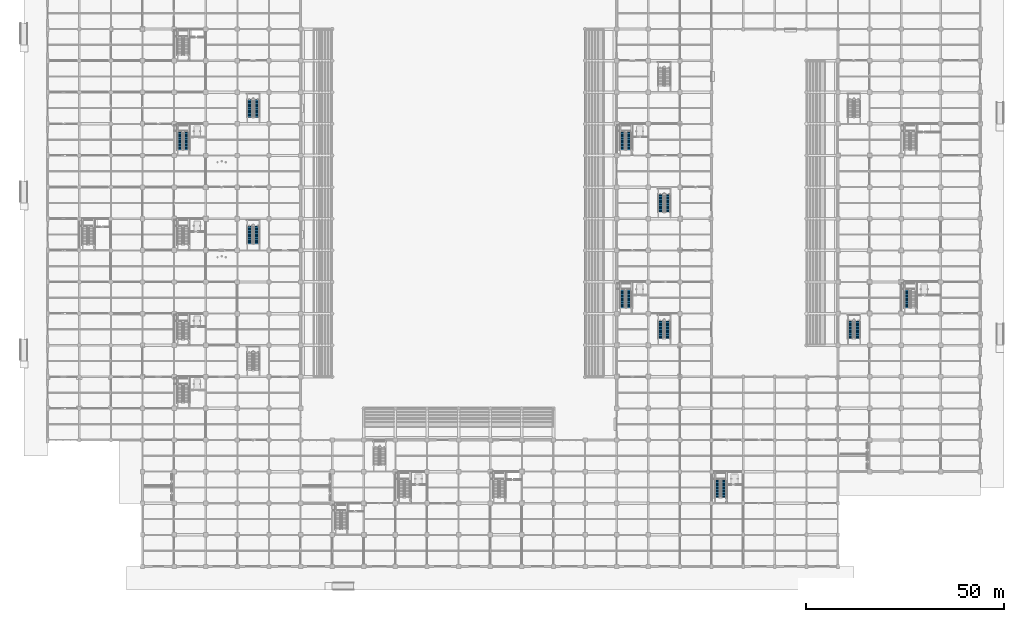
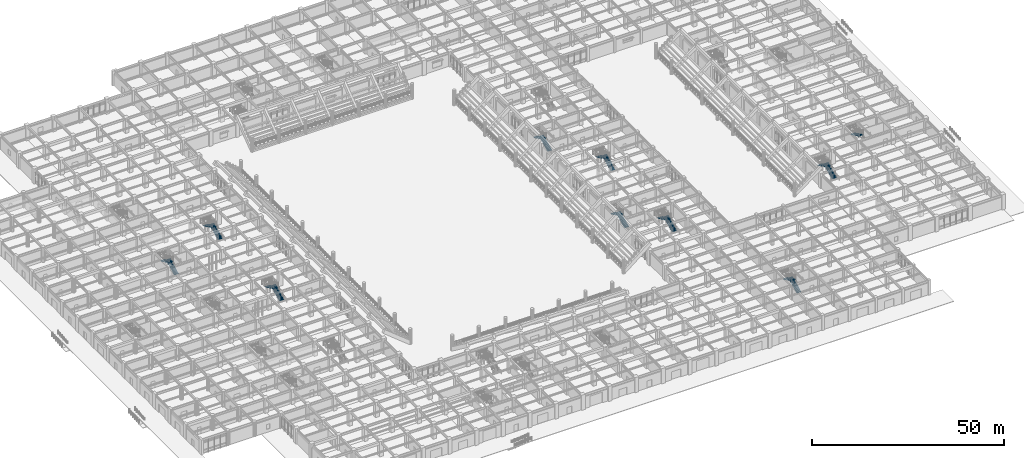
# One storey, part 95 of 125: 19 stair flights, 10 elements without a shape of their own.
"""IFC4 building model written with IfcOpenShell, lengths in metres."""

from ifc_helpers import new_model, si_unit, direction, frame, origin, place, context, subcontext, project, spatial, polyline, outline, extrude, material, type_object, element, aggregate, save


model = new_model("IFC4")

# Units and contexts
model_context = context("Model", 3, precision=1e-05, world=origin(), true_north=direction((0.0, 1.0)))
body_context = subcontext(model_context, "Body", "Model", "MODEL_VIEW")
ifc_project = project(units=[si_unit("LENGTHUNIT", "METRE"), si_unit("AREAUNIT", "SQUARE_METRE"), si_unit("VOLUMEUNIT", "CUBIC_METRE"), si_unit("PLANEANGLEUNIT", "RADIAN"), si_unit("MASSUNIT", "GRAM", prefix="KILO")], contexts=[model_context])

# Site, building, storey
site_placement = place(None, origin())
site = spatial("IfcSite", under=ifc_project, at=site_placement, CompositionType="ELEMENT")
building_placement = place(site_placement, origin())
building = spatial("IfcBuilding", under=site, at=building_placement, Name="Haebicheon Civic Stadium", CompositionType="ELEMENT")
storey_placement = place(building_placement, origin())
storey = spatial("IfcBuildingStorey", under=building, at=storey_placement, Name="L01", CompositionType="ELEMENT", Elevation=0.0)

# Stair, stair flights
ifc_material_1 = material(Name="Concrete C40/50", Category="concrete")
stair_type_1 = type_object("IfcStairType", Name="STR-DL-W126-H48", PredefinedType="HALF_TURN_STAIR", material=ifc_material_1)
stair_1_placement = place(storey_placement, origin())
stair_1 = element("IfcStair", 1, at=stair_1_placement, inside=storey, type_object=stair_type_1, material=ifc_material_1, Name="L01 Escape stair ST-11", PredefinedType="HALF_TURN_STAIR")
ifc_material_2 = material(Name="Concrete C40/50", Category="concrete")
stair_flight_type_1 = type_object("IfcStairFlightType", Name="STF-DL-W126-H48", PredefinedType="STRAIGHT", material=ifc_material_2)
stair_flight_1_placement = place(storey_placement, frame((147.110107421875, 105.449951171875, 0.0), z_axis=(0.0, 0.0, 1.0), x_axis=(0.0, 1.0, 0.0)))
stair_flight_1 = element("IfcStairFlight", 2, at=stair_flight_1_placement, type_object=stair_flight_type_1, material=ifc_material_2, Name="ST-11 flight 1", NumberOfRisers=16, NumberOfTreads=15, PredefinedType="STRAIGHT", RiserHeight=0.15, TreadLength=0.3, context=body_context, shape_type="SweptSolid", body=[
    extrude(outline(polyline([(0.0, 0.0), (0.0, 0.14990234375), (0.300048828125, 0.14990234375), (0.300048828125, 0.300048828125), (0.60009765625, 0.300048828125), (0.60009765625, 0.449951171875), (0.89990234375, 0.449951171875), (0.89990234375, 0.60009765625), (1.199951171875, 0.60009765625), (1.199951171875, 0.75), (1.5, 0.75), (1.5, 0.89990234375), (1.800048828125, 0.89990234375), (1.800048828125, 1.050048828125), (2.10009765625, 1.050048828125), (2.10009765625, 1.199951171875), (2.39990234375, 1.199951171875), (2.39990234375, 1.35009765625), (2.699951171875, 1.35009765625), (2.699951171875, 1.5), (3.0, 1.5), (3.0, 1.64990234375), (3.300048828125, 1.64990234375), (3.300048828125, 1.800048828125), (3.60009765625, 1.800048828125), (3.60009765625, 1.949951171875), (3.89990234375, 1.949951171875), (3.89990234375, 2.10009765625), (4.199951171875, 2.10009765625), (4.199951171875, 2.25), (4.5, 2.25), (4.5, 2.39990234375), (4.5, 2.0712890625), (0.357666015625, 0.0), (0.0, 0.0)])), frame((0.0, 0.6298828125, 0.0), z_axis=(0.0, -1.0, 0.0), x_axis=(1.0, 0.0, 0.0)), (0.0, 0.0, 1.0), 1.260009765625),
])
stair_flight_2_placement = place(storey_placement, frame((145.469970703125, 109.949951171875, 2.39990234375), z_axis=(0.0, 0.0, 1.0), x_axis=(0.0, -1.0, 0.0)))
stair_flight_2 = element("IfcStairFlight", 3, at=stair_flight_2_placement, type_object=stair_flight_type_1, material=ifc_material_2, Name="ST-11 flight 2", NumberOfRisers=16, NumberOfTreads=15, PredefinedType="STRAIGHT", RiserHeight=0.15, TreadLength=0.3, context=body_context, shape_type="SweptSolid", body=[
    extrude(outline(polyline([(0.0, 0.0), (0.0, 0.14990234375), (0.300048828125, 0.14990234375), (0.300048828125, 0.300048828125), (0.60009765625, 0.300048828125), (0.60009765625, 0.449951171875), (0.89990234375, 0.449951171875), (0.89990234375, 0.60009765625), (1.199951171875, 0.60009765625), (1.199951171875, 0.75), (1.5, 0.75), (1.5, 0.89990234375), (1.800048828125, 0.89990234375), (1.800048828125, 1.050048828125), (2.10009765625, 1.050048828125), (2.10009765625, 1.199951171875), (2.39990234375, 1.199951171875), (2.39990234375, 1.35009765625), (2.699951171875, 1.35009765625), (2.699951171875, 1.5), (3.0, 1.5), (3.0, 1.64990234375), (3.300048828125, 1.64990234375), (3.300048828125, 1.800048828125), (3.60009765625, 1.800048828125), (3.60009765625, 1.949951171875), (3.89990234375, 1.949951171875), (3.89990234375, 2.10009765625), (4.199951171875, 2.10009765625), (4.199951171875, 2.25), (4.5, 2.25), (4.5, 2.39990234375), (4.5, 2.0712890625), (0.357666015625, 0.0), (0.0, 0.0)])), frame((0.0, 0.6298828125, 0.0), z_axis=(0.0, -1.0, 0.0), x_axis=(1.0, 0.0, 0.0)), (0.0, 0.0, 1.0), 1.260009765625),
])
aggregate(stair_1, [stair_flight_1, stair_flight_2])

ifc_material_3 = material(Name="Concrete C40/50", Category="concrete")
stair_type_2 = type_object("IfcStairType", Name="STR-DL-W128-H48", PredefinedType="HALF_TURN_STAIR", material=ifc_material_3)
stair_2_placement = place(storey_placement, origin())
stair_2 = element("IfcStair", 4, at=stair_2_placement, inside=storey, type_object=stair_type_2, material=ifc_material_3, Name="L01 Escape stair ST-04", PredefinedType="HALF_TURN_STAIR")
ifc_material_4 = material(Name="Concrete C40/50", Category="concrete")
stair_flight_type_2 = type_object("IfcStairFlightType", Name="STF-DL-W128-H48", PredefinedType="STRAIGHT", material=ifc_material_4)
stair_flight_3_placement = place(storey_placement, frame((35.10009765625, 105.449951171875, 0.0), z_axis=(0.0, 0.0, 1.0), x_axis=(0.0, 1.0, 0.0)))
stair_flight_3 = element("IfcStairFlight", 5, at=stair_flight_3_placement, type_object=stair_flight_type_2, material=ifc_material_4, Name="ST-04 flight 1", NumberOfRisers=16, NumberOfTreads=15, PredefinedType="STRAIGHT", RiserHeight=0.15, TreadLength=0.3, context=body_context, shape_type="SweptSolid", body=[
    extrude(outline(polyline([(0.0, 0.0), (0.0, 0.14990234375), (0.300048828125, 0.14990234375), (0.300048828125, 0.300048828125), (0.60009765625, 0.300048828125), (0.60009765625, 0.449951171875), (0.89990234375, 0.449951171875), (0.89990234375, 0.60009765625), (1.199951171875, 0.60009765625), (1.199951171875, 0.75), (1.5, 0.75), (1.5, 0.89990234375), (1.800048828125, 0.89990234375), (1.800048828125, 1.050048828125), (2.10009765625, 1.050048828125), (2.10009765625, 1.199951171875), (2.39990234375, 1.199951171875), (2.39990234375, 1.35009765625), (2.699951171875, 1.35009765625), (2.699951171875, 1.5), (3.0, 1.5), (3.0, 1.64990234375), (3.300048828125, 1.64990234375), (3.300048828125, 1.800048828125), (3.60009765625, 1.800048828125), (3.60009765625, 1.949951171875), (3.89990234375, 1.949951171875), (3.89990234375, 2.10009765625), (4.199951171875, 2.10009765625), (4.199951171875, 2.25), (4.5, 2.25), (4.5, 2.39990234375), (4.5, 2.0712890625), (0.357666015625, 0.0), (0.0, 0.0)])), frame((0.0, 0.64013671875, 0.0), z_axis=(0.0, -1.0, 0.0), x_axis=(1.0, 0.0, 0.0)), (0.0, 0.0, 1.0), 1.280029296875),
])
stair_flight_4_placement = place(storey_placement, frame((33.47998046875, 109.949951171875, 2.39990234375), z_axis=(0.0, 0.0, 1.0), x_axis=(0.0, -1.0, 0.0)))
stair_flight_4 = element("IfcStairFlight", 6, at=stair_flight_4_placement, type_object=stair_flight_type_2, material=ifc_material_4, Name="ST-04 flight 2", NumberOfRisers=16, NumberOfTreads=15, PredefinedType="STRAIGHT", RiserHeight=0.15, TreadLength=0.3, context=body_context, shape_type="SweptSolid", body=[
    extrude(outline(polyline([(0.0, 0.0), (0.0, 0.14990234375), (0.300048828125, 0.14990234375), (0.300048828125, 0.300048828125), (0.60009765625, 0.300048828125), (0.60009765625, 0.449951171875), (0.89990234375, 0.449951171875), (0.89990234375, 0.60009765625), (1.199951171875, 0.60009765625), (1.199951171875, 0.75), (1.5, 0.75), (1.5, 0.89990234375), (1.800048828125, 0.89990234375), (1.800048828125, 1.050048828125), (2.10009765625, 1.050048828125), (2.10009765625, 1.199951171875), (2.39990234375, 1.199951171875), (2.39990234375, 1.35009765625), (2.699951171875, 1.35009765625), (2.699951171875, 1.5), (3.0, 1.5), (3.0, 1.64990234375), (3.300048828125, 1.64990234375), (3.300048828125, 1.800048828125), (3.60009765625, 1.800048828125), (3.60009765625, 1.949951171875), (3.89990234375, 1.949951171875), (3.89990234375, 2.10009765625), (4.199951171875, 2.10009765625), (4.199951171875, 2.25), (4.5, 2.25), (4.5, 2.39990234375), (4.5, 2.0712890625), (0.357666015625, 0.0), (0.0, 0.0)])), frame((0.0, 0.64013671875, 0.0), z_axis=(0.0, -1.0, 0.0), x_axis=(1.0, 0.0, 0.0)), (0.0, 0.0, 1.0), 1.280029296875),
])
aggregate(stair_2, [stair_flight_3, stair_flight_4])

stair_3_placement = place(storey_placement, origin())
stair_3 = element("IfcStair", 7, at=stair_3_placement, inside=storey, type_object=stair_type_2, material=ifc_material_3, Name="L01 Escape stair ST-10", PredefinedType="HALF_TURN_STAIR")
stair_flight_5_placement = place(storey_placement, frame((147.10009765625, 65.449951171875, 0.0), z_axis=(0.0, 0.0, 1.0), x_axis=(0.0, 1.0, 0.0)))
stair_flight_5 = element("IfcStairFlight", 8, at=stair_flight_5_placement, type_object=stair_flight_type_2, material=ifc_material_4, Name="ST-10 flight 1", NumberOfRisers=16, NumberOfTreads=15, PredefinedType="STRAIGHT", RiserHeight=0.15, TreadLength=0.3, context=body_context, shape_type="SweptSolid", body=[
    extrude(outline(polyline([(0.0, 0.0), (0.0, 0.14990234375), (0.300048828125, 0.14990234375), (0.300048828125, 0.300048828125), (0.60009765625, 0.300048828125), (0.60009765625, 0.449951171875), (0.89990234375, 0.449951171875), (0.89990234375, 0.60009765625), (1.199951171875, 0.60009765625), (1.199951171875, 0.75), (1.5, 0.75), (1.5, 0.89990234375), (1.800048828125, 0.89990234375), (1.800048828125, 1.050048828125), (2.10009765625, 1.050048828125), (2.10009765625, 1.199951171875), (2.39990234375, 1.199951171875), (2.39990234375, 1.35009765625), (2.699951171875, 1.35009765625), (2.699951171875, 1.5), (3.0, 1.5), (3.0, 1.64990234375), (3.300048828125, 1.64990234375), (3.300048828125, 1.800048828125), (3.60009765625, 1.800048828125), (3.60009765625, 1.949951171875), (3.89990234375, 1.949951171875), (3.89990234375, 2.10009765625), (4.199951171875, 2.10009765625), (4.199951171875, 2.25), (4.5, 2.25), (4.5, 2.39990234375), (4.5, 2.0712890625), (0.357666015625, 0.0), (0.0, 0.0)])), frame((0.0, 0.64013671875, 0.0), z_axis=(0.0, -1.0, 0.0), x_axis=(1.0, 0.0, 0.0)), (0.0, 0.0, 1.0), 1.280029296875),
])
stair_flight_6_placement = place(storey_placement, frame((145.47998046875, 69.949951171875, 2.39990234375), z_axis=(0.0, 0.0, 1.0), x_axis=(0.0, -1.0, 0.0)))
stair_flight_6 = element("IfcStairFlight", 9, at=stair_flight_6_placement, type_object=stair_flight_type_2, material=ifc_material_4, Name="ST-10 flight 2", NumberOfRisers=16, NumberOfTreads=15, PredefinedType="STRAIGHT", RiserHeight=0.15, TreadLength=0.3, context=body_context, shape_type="SweptSolid", body=[
    extrude(outline(polyline([(0.0, 0.0), (0.0, 0.14990234375), (0.300048828125, 0.14990234375), (0.300048828125, 0.300048828125), (0.60009765625, 0.300048828125), (0.60009765625, 0.449951171875), (0.89990234375, 0.449951171875), (0.89990234375, 0.60009765625), (1.199951171875, 0.60009765625), (1.199951171875, 0.75), (1.5, 0.75), (1.5, 0.89990234375), (1.800048828125, 0.89990234375), (1.800048828125, 1.050048828125), (2.10009765625, 1.050048828125), (2.10009765625, 1.199951171875), (2.39990234375, 1.199951171875), (2.39990234375, 1.35009765625), (2.699951171875, 1.35009765625), (2.699951171875, 1.5), (3.0, 1.5), (3.0, 1.64990234375), (3.300048828125, 1.64990234375), (3.300048828125, 1.800048828125), (3.60009765625, 1.800048828125), (3.60009765625, 1.949951171875), (3.89990234375, 1.949951171875), (3.89990234375, 2.10009765625), (4.199951171875, 2.10009765625), (4.199951171875, 2.25), (4.5, 2.25), (4.5, 2.39990234375), (4.5, 2.0712890625), (0.357666015625, 0.0), (0.0, 0.0)])), frame((0.0, 0.64013671875, 0.0), z_axis=(0.0, -1.0, 0.0), x_axis=(1.0, 0.0, 0.0)), (0.0, 0.0, 1.0), 1.280029296875),
])
aggregate(stair_3, [stair_flight_5, stair_flight_6])

# Stair, stair flight
stair_4_placement = place(storey_placement, origin())
stair_4 = element("IfcStair", 10, at=stair_4_placement, inside=storey, type_object=stair_type_2, material=ifc_material_3, Name="L01 Escape stair ST-12", PredefinedType="HALF_TURN_STAIR")
stair_flight_7_placement = place(storey_placement, frame((217.47998046875, 69.949951171875, 2.39990234375), z_axis=(0.0, 0.0, 1.0), x_axis=(0.0, -1.0, 0.0)))
stair_flight_7 = element("IfcStairFlight", 11, at=stair_flight_7_placement, type_object=stair_flight_type_2, material=ifc_material_4, Name="ST-12 flight 2", NumberOfRisers=16, NumberOfTreads=15, PredefinedType="STRAIGHT", RiserHeight=0.15, TreadLength=0.3, context=body_context, shape_type="SweptSolid", body=[
    extrude(outline(polyline([(0.0, 0.0), (0.0, 0.14990234375), (0.300048828125, 0.14990234375), (0.300048828125, 0.300048828125), (0.60009765625, 0.300048828125), (0.60009765625, 0.449951171875), (0.89990234375, 0.449951171875), (0.89990234375, 0.60009765625), (1.199951171875, 0.60009765625), (1.199951171875, 0.75), (1.5, 0.75), (1.5, 0.89990234375), (1.800048828125, 0.89990234375), (1.800048828125, 1.050048828125), (2.10009765625, 1.050048828125), (2.10009765625, 1.199951171875), (2.39990234375, 1.199951171875), (2.39990234375, 1.35009765625), (2.699951171875, 1.35009765625), (2.699951171875, 1.5), (3.0, 1.5), (3.0, 1.64990234375), (3.300048828125, 1.64990234375), (3.300048828125, 1.800048828125), (3.60009765625, 1.800048828125), (3.60009765625, 1.949951171875), (3.89990234375, 1.949951171875), (3.89990234375, 2.10009765625), (4.199951171875, 2.10009765625), (4.199951171875, 2.25), (4.5, 2.25), (4.5, 2.39990234375), (4.5, 2.0712890625), (0.357666015625, 0.0), (0.0, 0.0)])), frame((0.0, 0.64013671875, 0.0), z_axis=(0.0, -1.0, 0.0), x_axis=(1.0, 0.0, 0.0)), (0.0, 0.0, 1.0), 1.280029296875),
])
aggregate(stair_4, [stair_flight_7])

# Stair, stair flights
stair_5_placement = place(storey_placement, origin())
stair_5 = element("IfcStair", 12, at=stair_5_placement, inside=storey, type_object=stair_type_2, material=ifc_material_3, Name="L01 Escape stair ST-14", PredefinedType="HALF_TURN_STAIR")
stair_flight_8_placement = place(storey_placement, frame((171.10009765625, 17.449951171875, 0.0), z_axis=(0.0, 0.0, 1.0), x_axis=(0.0, 1.0, 0.0)))
stair_flight_8 = element("IfcStairFlight", 13, at=stair_flight_8_placement, type_object=stair_flight_type_2, material=ifc_material_4, Name="ST-14 flight 1", NumberOfRisers=16, NumberOfTreads=15, PredefinedType="STRAIGHT", RiserHeight=0.15, TreadLength=0.3, context=body_context, shape_type="SweptSolid", body=[
    extrude(outline(polyline([(0.0, 0.0), (0.0, 0.14990234375), (0.300048828125, 0.14990234375), (0.300048828125, 0.300048828125), (0.60009765625, 0.300048828125), (0.60009765625, 0.449951171875), (0.89990234375, 0.449951171875), (0.89990234375, 0.60009765625), (1.199951171875, 0.60009765625), (1.199951171875, 0.75), (1.5, 0.75), (1.5, 0.89990234375), (1.800048828125, 0.89990234375), (1.800048828125, 1.050048828125), (2.10009765625, 1.050048828125), (2.10009765625, 1.199951171875), (2.39990234375, 1.199951171875), (2.39990234375, 1.35009765625), (2.699951171875, 1.35009765625), (2.699951171875, 1.5), (3.0, 1.5), (3.0, 1.64990234375), (3.300048828125, 1.64990234375), (3.300048828125, 1.800048828125), (3.60009765625, 1.800048828125), (3.60009765625, 1.949951171875), (3.89990234375, 1.949951171875), (3.89990234375, 2.10009765625), (4.199951171875, 2.10009765625), (4.199951171875, 2.25), (4.5, 2.25), (4.5, 2.39990234375), (4.5, 2.0712890625), (0.357666015625, 0.0), (0.0, 0.0)])), frame((0.0, 0.64013671875, 0.0), z_axis=(0.0, -1.0, 0.0), x_axis=(1.0, 0.0, 0.0)), (0.0, 0.0, 1.0), 1.280029296875),
])
stair_flight_9_placement = place(storey_placement, frame((169.47998046875, 21.949951171875, 2.39990234375), z_axis=(0.0, 0.0, 1.0), x_axis=(0.0, -1.0, 0.0)))
stair_flight_9 = element("IfcStairFlight", 14, at=stair_flight_9_placement, type_object=stair_flight_type_2, material=ifc_material_4, Name="ST-14 flight 2", NumberOfRisers=16, NumberOfTreads=15, PredefinedType="STRAIGHT", RiserHeight=0.15, TreadLength=0.3, context=body_context, shape_type="SweptSolid", body=[
    extrude(outline(polyline([(0.0, 0.0), (0.0, 0.14990234375), (0.300048828125, 0.14990234375), (0.300048828125, 0.300048828125), (0.60009765625, 0.300048828125), (0.60009765625, 0.449951171875), (0.89990234375, 0.449951171875), (0.89990234375, 0.60009765625), (1.199951171875, 0.60009765625), (1.199951171875, 0.75), (1.5, 0.75), (1.5, 0.89990234375), (1.800048828125, 0.89990234375), (1.800048828125, 1.050048828125), (2.10009765625, 1.050048828125), (2.10009765625, 1.199951171875), (2.39990234375, 1.199951171875), (2.39990234375, 1.35009765625), (2.699951171875, 1.35009765625), (2.699951171875, 1.5), (3.0, 1.5), (3.0, 1.64990234375), (3.300048828125, 1.64990234375), (3.300048828125, 1.800048828125), (3.60009765625, 1.800048828125), (3.60009765625, 1.949951171875), (3.89990234375, 1.949951171875), (3.89990234375, 2.10009765625), (4.199951171875, 2.10009765625), (4.199951171875, 2.25), (4.5, 2.25), (4.5, 2.39990234375), (4.5, 2.0712890625), (0.357666015625, 0.0), (0.0, 0.0)])), frame((0.0, 0.64013671875, 0.0), z_axis=(0.0, -1.0, 0.0), x_axis=(1.0, 0.0, 0.0)), (0.0, 0.0, 1.0), 1.280029296875),
])
aggregate(stair_5, [stair_flight_8, stair_flight_9])

ifc_material_5 = material(Name="Concrete C40/50", Category="concrete")
stair_type_3 = type_object("IfcStairType", Name="STR-DL-W136-H48", PredefinedType="HALF_TURN_STAIR", material=ifc_material_5)
stair_6_placement = place(storey_placement, origin())
stair_6 = element("IfcStair", 15, at=stair_6_placement, inside=storey, type_object=stair_type_3, material=ifc_material_5, Name="Vomitory stair VM-03 (L01)", PredefinedType="HALF_TURN_STAIR")
ifc_material_6 = material(Name="Concrete C40/50", Category="concrete")
stair_flight_type_3 = type_object("IfcStairFlightType", Name="STF-DL-W136-H48", PredefinedType="STRAIGHT", material=ifc_material_6)
stair_flight_10_placement = place(storey_placement, frame((52.9599609375, 113.64990234375, 0.0), z_axis=(0.0, 0.0, 1.0), x_axis=(0.0, 1.0, 0.0)))
stair_flight_10 = element("IfcStairFlight", 16, at=stair_flight_10_placement, type_object=stair_flight_type_3, material=ifc_material_6, Name="VM-03 flight 1", NumberOfRisers=16, NumberOfTreads=15, PredefinedType="STRAIGHT", RiserHeight=0.15, TreadLength=0.3, context=body_context, shape_type="SweptSolid", body=[
    extrude(outline(polyline([(0.0, 0.0), (0.0, 0.14990234375), (0.300048828125, 0.14990234375), (0.300048828125, 0.300048828125), (0.60009765625, 0.300048828125), (0.60009765625, 0.449951171875), (0.89990234375, 0.449951171875), (0.89990234375, 0.60009765625), (1.199951171875, 0.60009765625), (1.199951171875, 0.75), (1.5, 0.75), (1.5, 0.89990234375), (1.800048828125, 0.89990234375), (1.800048828125, 1.050048828125), (2.10009765625, 1.050048828125), (2.10009765625, 1.199951171875), (2.39990234375, 1.199951171875), (2.39990234375, 1.35009765625), (2.699951171875, 1.35009765625), (2.699951171875, 1.5), (3.0, 1.5), (3.0, 1.64990234375), (3.300048828125, 1.64990234375), (3.300048828125, 1.800048828125), (3.60009765625, 1.800048828125), (3.60009765625, 1.949951171875), (3.89990234375, 1.949951171875), (3.89990234375, 2.10009765625), (4.199951171875, 2.10009765625), (4.199951171875, 2.25), (4.5, 2.25), (4.5, 2.39990234375), (4.5, 2.0712890625), (0.357666015625, 0.0), (0.0, 0.0)])), frame((0.0, 0.68017578125, 0.0), z_axis=(0.0, -1.0, 0.0), x_axis=(1.0, 0.0, 0.0)), (0.0, 0.0, 1.0), 1.360107421875),
])
stair_flight_11_placement = place(storey_placement, frame((51.139892578125, 118.14990234375, 2.39990234375), z_axis=(0.0, 0.0, 1.0), x_axis=(0.0, -1.0, 0.0)))
stair_flight_11 = element("IfcStairFlight", 17, at=stair_flight_11_placement, type_object=stair_flight_type_3, material=ifc_material_6, Name="VM-03 flight 2", NumberOfRisers=16, NumberOfTreads=15, PredefinedType="STRAIGHT", RiserHeight=0.15, TreadLength=0.3, context=body_context, shape_type="SweptSolid", body=[
    extrude(outline(polyline([(0.0, 0.0), (0.0, 0.14990234375), (0.300048828125, 0.14990234375), (0.300048828125, 0.300048828125), (0.60009765625, 0.300048828125), (0.60009765625, 0.449951171875), (0.89990234375, 0.449951171875), (0.89990234375, 0.60009765625), (1.199951171875, 0.60009765625), (1.199951171875, 0.75), (1.5, 0.75), (1.5, 0.89990234375), (1.800048828125, 0.89990234375), (1.800048828125, 1.050048828125), (2.10009765625, 1.050048828125), (2.10009765625, 1.199951171875), (2.39990234375, 1.199951171875), (2.39990234375, 1.35009765625), (2.699951171875, 1.35009765625), (2.699951171875, 1.5), (3.0, 1.5), (3.0, 1.64990234375), (3.300048828125, 1.64990234375), (3.300048828125, 1.800048828125), (3.60009765625, 1.800048828125), (3.60009765625, 1.949951171875), (3.89990234375, 1.949951171875), (3.89990234375, 2.10009765625), (4.199951171875, 2.10009765625), (4.199951171875, 2.25), (4.5, 2.25), (4.5, 2.39990234375), (4.5, 2.0712890625), (0.357666015625, 0.0), (0.0, 0.0)])), frame((0.0, 0.68017578125, 0.0), z_axis=(0.0, -1.0, 0.0), x_axis=(1.0, 0.0, 0.0)), (0.0, 0.0, 1.0), 1.360107421875),
])
aggregate(stair_6, [stair_flight_10, stair_flight_11])

stair_7_placement = place(storey_placement, origin())
stair_7 = element("IfcStair", 18, at=stair_7_placement, inside=storey, type_object=stair_type_3, material=ifc_material_5, Name="Vomitory stair VM-07 (L01)", PredefinedType="HALF_TURN_STAIR")
stair_flight_12_placement = place(storey_placement, frame((156.9599609375, 89.64990234375, 0.0), z_axis=(0.0, 0.0, 1.0), x_axis=(0.0, 1.0, 0.0)))
stair_flight_12 = element("IfcStairFlight", 19, at=stair_flight_12_placement, type_object=stair_flight_type_3, material=ifc_material_6, Name="VM-07 flight 1", NumberOfRisers=16, NumberOfTreads=15, PredefinedType="STRAIGHT", RiserHeight=0.15, TreadLength=0.3, context=body_context, shape_type="SweptSolid", body=[
    extrude(outline(polyline([(0.0, 0.0), (0.0, 0.14990234375), (0.300048828125, 0.14990234375), (0.300048828125, 0.300048828125), (0.60009765625, 0.300048828125), (0.60009765625, 0.449951171875), (0.89990234375, 0.449951171875), (0.89990234375, 0.60009765625), (1.199951171875, 0.60009765625), (1.199951171875, 0.75), (1.5, 0.75), (1.5, 0.89990234375), (1.800048828125, 0.89990234375), (1.800048828125, 1.050048828125), (2.10009765625, 1.050048828125), (2.10009765625, 1.199951171875), (2.39990234375, 1.199951171875), (2.39990234375, 1.35009765625), (2.699951171875, 1.35009765625), (2.699951171875, 1.5), (3.0, 1.5), (3.0, 1.64990234375), (3.300048828125, 1.64990234375), (3.300048828125, 1.800048828125), (3.60009765625, 1.800048828125), (3.60009765625, 1.949951171875), (3.89990234375, 1.949951171875), (3.89990234375, 2.10009765625), (4.199951171875, 2.10009765625), (4.199951171875, 2.25), (4.5, 2.25), (4.5, 2.39990234375), (4.5, 2.0712890625), (0.357666015625, 0.0), (0.0, 0.0)])), frame((0.0, 0.68017578125, 0.0), z_axis=(0.0, -1.0, 0.0), x_axis=(1.0, 0.0, 0.0)), (0.0, 0.0, 1.0), 1.360107421875),
])
stair_flight_13_placement = place(storey_placement, frame((155.139892578125, 94.14990234375, 2.39990234375), z_axis=(0.0, 0.0, 1.0), x_axis=(0.0, -1.0, 0.0)))
stair_flight_13 = element("IfcStairFlight", 20, at=stair_flight_13_placement, type_object=stair_flight_type_3, material=ifc_material_6, Name="VM-07 flight 2", NumberOfRisers=16, NumberOfTreads=15, PredefinedType="STRAIGHT", RiserHeight=0.15, TreadLength=0.3, context=body_context, shape_type="SweptSolid", body=[
    extrude(outline(polyline([(0.0, 0.0), (0.0, 0.14990234375), (0.300048828125, 0.14990234375), (0.300048828125, 0.300048828125), (0.60009765625, 0.300048828125), (0.60009765625, 0.449951171875), (0.89990234375, 0.449951171875), (0.89990234375, 0.60009765625), (1.199951171875, 0.60009765625), (1.199951171875, 0.75), (1.5, 0.75), (1.5, 0.89990234375), (1.800048828125, 0.89990234375), (1.800048828125, 1.050048828125), (2.10009765625, 1.050048828125), (2.10009765625, 1.199951171875), (2.39990234375, 1.199951171875), (2.39990234375, 1.35009765625), (2.699951171875, 1.35009765625), (2.699951171875, 1.5), (3.0, 1.5), (3.0, 1.64990234375), (3.300048828125, 1.64990234375), (3.300048828125, 1.800048828125), (3.60009765625, 1.800048828125), (3.60009765625, 1.949951171875), (3.89990234375, 1.949951171875), (3.89990234375, 2.10009765625), (4.199951171875, 2.10009765625), (4.199951171875, 2.25), (4.5, 2.25), (4.5, 2.39990234375), (4.5, 2.0712890625), (0.357666015625, 0.0), (0.0, 0.0)])), frame((0.0, 0.68017578125, 0.0), z_axis=(0.0, -1.0, 0.0), x_axis=(1.0, 0.0, 0.0)), (0.0, 0.0, 1.0), 1.360107421875),
])
aggregate(stair_7, [stair_flight_12, stair_flight_13])

stair_8_placement = place(storey_placement, origin())
stair_8 = element("IfcStair", 21, at=stair_8_placement, inside=storey, type_object=stair_type_3, material=ifc_material_5, Name="Vomitory stair VM-11 (L01)", PredefinedType="HALF_TURN_STAIR")
stair_flight_14_placement = place(storey_placement, frame((204.9599609375, 57.64990234375, 0.0), z_axis=(0.0, 0.0, 1.0), x_axis=(0.0, 1.0, 0.0)))
stair_flight_14 = element("IfcStairFlight", 22, at=stair_flight_14_placement, type_object=stair_flight_type_3, material=ifc_material_6, Name="VM-11 flight 1", NumberOfRisers=16, NumberOfTreads=15, PredefinedType="STRAIGHT", RiserHeight=0.15, TreadLength=0.3, context=body_context, shape_type="SweptSolid", body=[
    extrude(outline(polyline([(0.0, 0.0), (0.0, 0.14990234375), (0.300048828125, 0.14990234375), (0.300048828125, 0.300048828125), (0.60009765625, 0.300048828125), (0.60009765625, 0.449951171875), (0.89990234375, 0.449951171875), (0.89990234375, 0.60009765625), (1.199951171875, 0.60009765625), (1.199951171875, 0.75), (1.5, 0.75), (1.5, 0.89990234375), (1.800048828125, 0.89990234375), (1.800048828125, 1.050048828125), (2.10009765625, 1.050048828125), (2.10009765625, 1.199951171875), (2.39990234375, 1.199951171875), (2.39990234375, 1.35009765625), (2.699951171875, 1.35009765625), (2.699951171875, 1.5), (3.0, 1.5), (3.0, 1.64990234375), (3.300048828125, 1.64990234375), (3.300048828125, 1.800048828125), (3.60009765625, 1.800048828125), (3.60009765625, 1.949951171875), (3.89990234375, 1.949951171875), (3.89990234375, 2.10009765625), (4.199951171875, 2.10009765625), (4.199951171875, 2.25), (4.5, 2.25), (4.5, 2.39990234375), (4.5, 2.0712890625), (0.357666015625, 0.0), (0.0, 0.0)])), frame((0.0, 0.68017578125, 0.0), z_axis=(0.0, -1.0, 0.0), x_axis=(1.0, 0.0, 0.0)), (0.0, 0.0, 1.0), 1.360107421875),
])
stair_flight_15_placement = place(storey_placement, frame((203.139892578125, 62.14990234375, 2.39990234375), z_axis=(0.0, 0.0, 1.0), x_axis=(0.0, -1.0, 0.0)))
stair_flight_15 = element("IfcStairFlight", 23, at=stair_flight_15_placement, type_object=stair_flight_type_3, material=ifc_material_6, Name="VM-11 flight 2", NumberOfRisers=16, NumberOfTreads=15, PredefinedType="STRAIGHT", RiserHeight=0.15, TreadLength=0.3, context=body_context, shape_type="SweptSolid", body=[
    extrude(outline(polyline([(0.0, 0.0), (0.0, 0.14990234375), (0.300048828125, 0.14990234375), (0.300048828125, 0.300048828125), (0.60009765625, 0.300048828125), (0.60009765625, 0.449951171875), (0.89990234375, 0.449951171875), (0.89990234375, 0.60009765625), (1.199951171875, 0.60009765625), (1.199951171875, 0.75), (1.5, 0.75), (1.5, 0.89990234375), (1.800048828125, 0.89990234375), (1.800048828125, 1.050048828125), (2.10009765625, 1.050048828125), (2.10009765625, 1.199951171875), (2.39990234375, 1.199951171875), (2.39990234375, 1.35009765625), (2.699951171875, 1.35009765625), (2.699951171875, 1.5), (3.0, 1.5), (3.0, 1.64990234375), (3.300048828125, 1.64990234375), (3.300048828125, 1.800048828125), (3.60009765625, 1.800048828125), (3.60009765625, 1.949951171875), (3.89990234375, 1.949951171875), (3.89990234375, 2.10009765625), (4.199951171875, 2.10009765625), (4.199951171875, 2.25), (4.5, 2.25), (4.5, 2.39990234375), (4.5, 2.0712890625), (0.357666015625, 0.0), (0.0, 0.0)])), frame((0.0, 0.68017578125, 0.0), z_axis=(0.0, -1.0, 0.0), x_axis=(1.0, 0.0, 0.0)), (0.0, 0.0, 1.0), 1.360107421875),
])
aggregate(stair_8, [stair_flight_14, stair_flight_15])

ifc_material_7 = material(Name="Concrete C40/50", Category="concrete")
stair_type_4 = type_object("IfcStairType", Name="STR-DL-W140-H48", PredefinedType="HALF_TURN_STAIR", material=ifc_material_7)
stair_9_placement = place(storey_placement, origin())
stair_9 = element("IfcStair", 24, at=stair_9_placement, inside=storey, type_object=stair_type_4, material=ifc_material_7, Name="Vomitory stair VM-02 (L01)", PredefinedType="HALF_TURN_STAIR")
ifc_material_8 = material(Name="Concrete C40/50", Category="concrete")
stair_flight_type_4 = type_object("IfcStairFlightType", Name="STF-DL-W140-H48", PredefinedType="STRAIGHT", material=ifc_material_8)
stair_flight_16_placement = place(storey_placement, frame((52.93994140625, 81.64990234375, 0.0), z_axis=(0.0, 0.0, 1.0), x_axis=(0.0, 1.0, 0.0)))
stair_flight_16 = element("IfcStairFlight", 25, at=stair_flight_16_placement, type_object=stair_flight_type_4, material=ifc_material_8, Name="VM-02 flight 1", NumberOfRisers=16, NumberOfTreads=15, PredefinedType="STRAIGHT", RiserHeight=0.15, TreadLength=0.3, context=body_context, shape_type="SweptSolid", body=[
    extrude(outline(polyline([(0.0, 0.0), (0.0, 0.14990234375), (0.300048828125, 0.14990234375), (0.300048828125, 0.300048828125), (0.60009765625, 0.300048828125), (0.60009765625, 0.449951171875), (0.89990234375, 0.449951171875), (0.89990234375, 0.60009765625), (1.199951171875, 0.60009765625), (1.199951171875, 0.75), (1.5, 0.75), (1.5, 0.89990234375), (1.800048828125, 0.89990234375), (1.800048828125, 1.050048828125), (2.10009765625, 1.050048828125), (2.10009765625, 1.199951171875), (2.39990234375, 1.199951171875), (2.39990234375, 1.35009765625), (2.699951171875, 1.35009765625), (2.699951171875, 1.5), (3.0, 1.5), (3.0, 1.64990234375), (3.300048828125, 1.64990234375), (3.300048828125, 1.800048828125), (3.60009765625, 1.800048828125), (3.60009765625, 1.949951171875), (3.89990234375, 1.949951171875), (3.89990234375, 2.10009765625), (4.199951171875, 2.10009765625), (4.199951171875, 2.25), (4.5, 2.25), (4.5, 2.39990234375), (4.5, 2.0712890625), (0.357666015625, 0.0), (0.0, 0.0)])), frame((0.0, 0.699951171875, 0.0), z_axis=(0.0, -1.0, 0.0), x_axis=(1.0, 0.0, 0.0)), (0.0, 0.0, 1.0), 1.39990234375),
])
stair_flight_17_placement = place(storey_placement, frame((51.159912109375, 86.14990234375, 2.39990234375), z_axis=(0.0, 0.0, 1.0), x_axis=(0.0, -1.0, 0.0)))
stair_flight_17 = element("IfcStairFlight", 26, at=stair_flight_17_placement, type_object=stair_flight_type_4, material=ifc_material_8, Name="VM-02 flight 2", NumberOfRisers=16, NumberOfTreads=15, PredefinedType="STRAIGHT", RiserHeight=0.15, TreadLength=0.3, context=body_context, shape_type="SweptSolid", body=[
    extrude(outline(polyline([(0.0, 0.0), (0.0, 0.14990234375), (0.300048828125, 0.14990234375), (0.300048828125, 0.300048828125), (0.60009765625, 0.300048828125), (0.60009765625, 0.449951171875), (0.89990234375, 0.449951171875), (0.89990234375, 0.60009765625), (1.199951171875, 0.60009765625), (1.199951171875, 0.75), (1.5, 0.75), (1.5, 0.89990234375), (1.800048828125, 0.89990234375), (1.800048828125, 1.050048828125), (2.10009765625, 1.050048828125), (2.10009765625, 1.199951171875), (2.39990234375, 1.199951171875), (2.39990234375, 1.35009765625), (2.699951171875, 1.35009765625), (2.699951171875, 1.5), (3.0, 1.5), (3.0, 1.64990234375), (3.300048828125, 1.64990234375), (3.300048828125, 1.800048828125), (3.60009765625, 1.800048828125), (3.60009765625, 1.949951171875), (3.89990234375, 1.949951171875), (3.89990234375, 2.10009765625), (4.199951171875, 2.10009765625), (4.199951171875, 2.25), (4.5, 2.25), (4.5, 2.39990234375), (4.5, 2.0712890625), (0.357666015625, 0.0), (0.0, 0.0)])), frame((0.0, 0.699951171875, 0.0), z_axis=(0.0, -1.0, 0.0), x_axis=(1.0, 0.0, 0.0)), (0.0, 0.0, 1.0), 1.39990234375),
])
aggregate(stair_9, [stair_flight_16, stair_flight_17])

stair_10_placement = place(storey_placement, origin())
stair_10 = element("IfcStair", 27, at=stair_10_placement, inside=storey, type_object=stair_type_4, material=ifc_material_7, Name="Vomitory stair VM-06 (L01)", PredefinedType="HALF_TURN_STAIR")
stair_flight_18_placement = place(storey_placement, frame((156.93994140625, 57.64990234375, 0.0), z_axis=(0.0, 0.0, 1.0), x_axis=(0.0, 1.0, 0.0)))
stair_flight_18 = element("IfcStairFlight", 28, at=stair_flight_18_placement, type_object=stair_flight_type_4, material=ifc_material_8, Name="VM-06 flight 1", NumberOfRisers=16, NumberOfTreads=15, PredefinedType="STRAIGHT", RiserHeight=0.15, TreadLength=0.3, context=body_context, shape_type="SweptSolid", body=[
    extrude(outline(polyline([(0.0, 0.0), (0.0, 0.14990234375), (0.300048828125, 0.14990234375), (0.300048828125, 0.300048828125), (0.60009765625, 0.300048828125), (0.60009765625, 0.449951171875), (0.89990234375, 0.449951171875), (0.89990234375, 0.60009765625), (1.199951171875, 0.60009765625), (1.199951171875, 0.75), (1.5, 0.75), (1.5, 0.89990234375), (1.800048828125, 0.89990234375), (1.800048828125, 1.050048828125), (2.10009765625, 1.050048828125), (2.10009765625, 1.199951171875), (2.39990234375, 1.199951171875), (2.39990234375, 1.35009765625), (2.699951171875, 1.35009765625), (2.699951171875, 1.5), (3.0, 1.5), (3.0, 1.64990234375), (3.300048828125, 1.64990234375), (3.300048828125, 1.800048828125), (3.60009765625, 1.800048828125), (3.60009765625, 1.949951171875), (3.89990234375, 1.949951171875), (3.89990234375, 2.10009765625), (4.199951171875, 2.10009765625), (4.199951171875, 2.25), (4.5, 2.25), (4.5, 2.39990234375), (4.5, 2.0712890625), (0.357666015625, 0.0), (0.0, 0.0)])), frame((0.0, 0.699951171875, 0.0), z_axis=(0.0, -1.0, 0.0), x_axis=(1.0, 0.0, 0.0)), (0.0, 0.0, 1.0), 1.39990234375),
])
stair_flight_19_placement = place(storey_placement, frame((155.159912109375, 62.14990234375, 2.39990234375), z_axis=(0.0, 0.0, 1.0), x_axis=(0.0, -1.0, 0.0)))
stair_flight_19 = element("IfcStairFlight", 29, at=stair_flight_19_placement, type_object=stair_flight_type_4, material=ifc_material_8, Name="VM-06 flight 2", NumberOfRisers=16, NumberOfTreads=15, PredefinedType="STRAIGHT", RiserHeight=0.15, TreadLength=0.3, context=body_context, shape_type="SweptSolid", body=[
    extrude(outline(polyline([(0.0, 0.0), (0.0, 0.14990234375), (0.300048828125, 0.14990234375), (0.300048828125, 0.300048828125), (0.60009765625, 0.300048828125), (0.60009765625, 0.449951171875), (0.89990234375, 0.449951171875), (0.89990234375, 0.60009765625), (1.199951171875, 0.60009765625), (1.199951171875, 0.75), (1.5, 0.75), (1.5, 0.89990234375), (1.800048828125, 0.89990234375), (1.800048828125, 1.050048828125), (2.10009765625, 1.050048828125), (2.10009765625, 1.199951171875), (2.39990234375, 1.199951171875), (2.39990234375, 1.35009765625), (2.699951171875, 1.35009765625), (2.699951171875, 1.5), (3.0, 1.5), (3.0, 1.64990234375), (3.300048828125, 1.64990234375), (3.300048828125, 1.800048828125), (3.60009765625, 1.800048828125), (3.60009765625, 1.949951171875), (3.89990234375, 1.949951171875), (3.89990234375, 2.10009765625), (4.199951171875, 2.10009765625), (4.199951171875, 2.25), (4.5, 2.25), (4.5, 2.39990234375), (4.5, 2.0712890625), (0.357666015625, 0.0), (0.0, 0.0)])), frame((0.0, 0.699951171875, 0.0), z_axis=(0.0, -1.0, 0.0), x_axis=(1.0, 0.0, 0.0)), (0.0, 0.0, 1.0), 1.39990234375),
])
aggregate(stair_10, [stair_flight_18, stair_flight_19])

save(model, "model.ifc")
